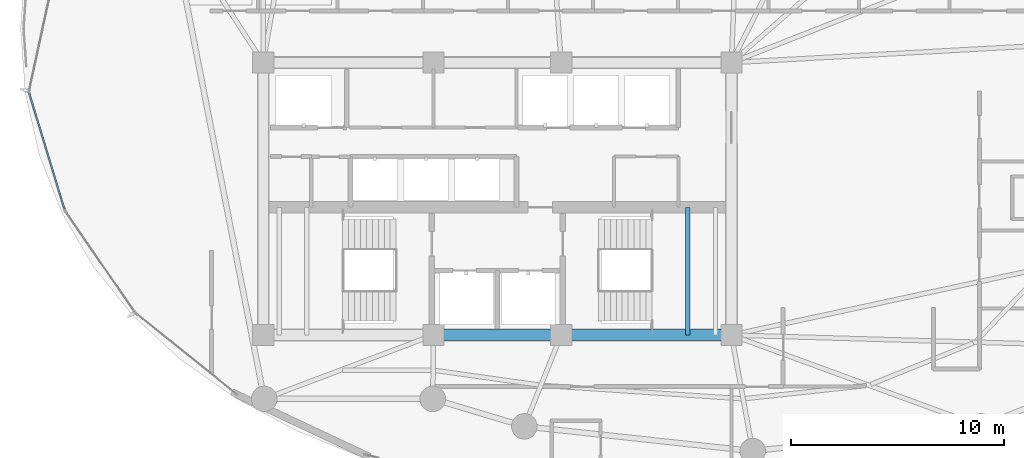
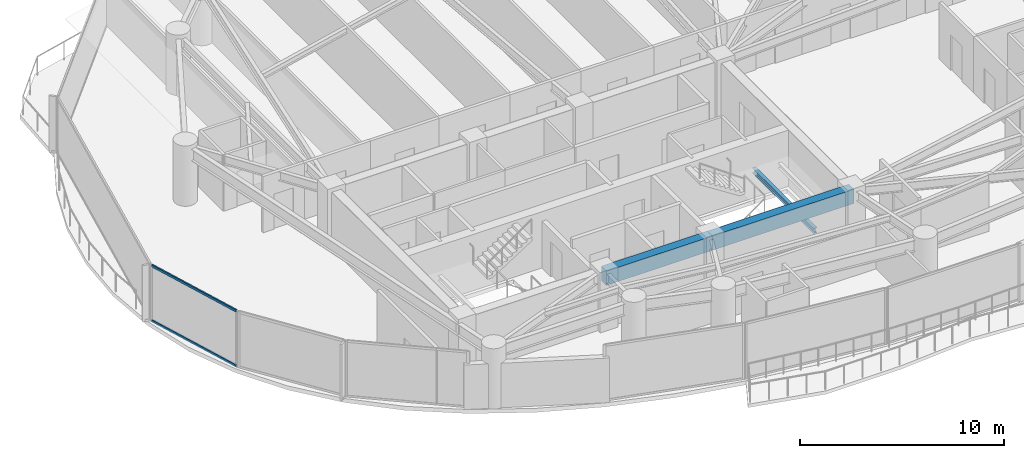
# One storey, part 7 of 34: 3 beams, 2 members, 1 element without a shape of its own.
"""IFC4 building model written with IfcOpenShell, lengths in metres."""

from ifc_helpers import new_model, si_unit, direction, frame, origin, origin_2d, place, context, subcontext, project, spatial, rectangle, hollow_rectangle, i_section, extrude, material, layer, layer_set, material_profile, profile_set, type_object, element, aggregate, save


model = new_model("IFC4")

# Units and contexts
model_context = context("Model", 3, precision=1e-05, world=origin(), true_north=direction((0.0, 1.0)))
body_context = subcontext(model_context, "Body", "Model", "MODEL_VIEW")
ifc_project = project(units=[si_unit("LENGTHUNIT", "METRE"), si_unit("AREAUNIT", "SQUARE_METRE"), si_unit("VOLUMEUNIT", "CUBIC_METRE"), si_unit("PLANEANGLEUNIT", "RADIAN"), si_unit("MASSUNIT", "GRAM", prefix="KILO")], contexts=[model_context])

# Site, building, storey
site_placement = place(None, origin())
site = spatial("IfcSite", under=ifc_project, at=site_placement, CompositionType="ELEMENT")
building_placement = place(site_placement, origin())
building = spatial("IfcBuilding", under=site, at=building_placement, Name="Kazevale Care Tower and Concert Hall", CompositionType="ELEMENT")
storey_placement = place(building_placement, frame((0.0, 0.0, 167.39990234375)))
storey = spatial("IfcBuildingStorey", under=building, at=storey_placement, Name="L44", CompositionType="ELEMENT", Elevation=167.39990234375)

# Curtain wall, members
ifc_material_1 = material(Name="Aluminium 6063-T6 and Low-E Glass", Category="aluminium")
ifc_layer = layer(ifc_material_1, 0.179931640625)
ifc_layer_set = layer_set([ifc_layer], Name="Aluminium 6063-T6 and Low-E Glass")
curtain_wall_type = type_object("IfcCurtainWallType", Name="Waist & Upper Residential Curtain Wall CW-4", PredefinedType="NOTDEFINED", material=ifc_layer_set)
curtain_wall_placement = place(storey_placement, origin())
curtain_wall = element("IfcCurtainWall", 1, at=curtain_wall_placement, inside=storey, type_object=curtain_wall_type, Name="cw:L44:f12", PredefinedType="NOTDEFINED")
ifc_material_2 = material(Name="Aluminium 6063-T6", Category="aluminium")
ifc_material_profile_1 = material_profile(ifc_material_2, hollow_rectangle(XDim=0.080078125, YDim=0.139892578125, WallThickness=0.00390625, at=origin_2d()), Name="ALU80x140x4")
ifc_profile_set_1 = profile_set([ifc_material_profile_1], Name="Aluminium 6063-T6")
member_type = type_object("IfcMemberType", Name="CW-4 Transom ALU80x140x4", PredefinedType="USERDEFINED", material=ifc_profile_set_1)
member_1_placement = place(storey_placement, frame((12.669677734375, 29.517578125, 0.0400390625), z_axis=(-0.290964759976, 0.956733770937, 0.0), x_axis=(-0.956733770937, -0.290964759976, 0.0)))
member_1 = element("IfcMember", 2, at=member_1_placement, type_object=member_type, Name="CW-4 transom 1.1", ObjectType="TRANSOM", PredefinedType="USERDEFINED", context=body_context, shape_type="SweptSolid", body=[
    extrude(hollow_rectangle(XDim=0.080078125, YDim=0.139892578125, WallThickness=0.00390625, at=origin_2d()), origin(), (0.0, 0.0, 1.0), 5.675537109375),
])
member_2_placement = place(storey_placement, frame((12.669677734375, 29.517578125, 3.320068359375), z_axis=(-0.290964759976, 0.956733770937, 0.0), x_axis=(-0.956733770937, -0.290964759976, 0.0)))
member_2 = element("IfcMember", 3, at=member_2_placement, type_object=member_type, Name="CW-4 transom 1.2", ObjectType="TRANSOM", PredefinedType="USERDEFINED", context=body_context, shape_type="SweptSolid", body=[
    extrude(hollow_rectangle(XDim=0.080078125, YDim=0.139892578125, WallThickness=0.00390625, at=origin_2d()), origin(), (0.0, 0.0, 1.0), 5.675537109375),
])
aggregate(curtain_wall, [member_1, member_2])

# Beams
ifc_material_3 = material(Name="Concrete C60", Category="concrete")
ifc_material_profile_2 = material_profile(ifc_material_3, rectangle(XDim=0.5, YDim=0.85009765625, at=origin_2d()), Name="RC-B500x850")
ifc_profile_set_2 = profile_set([ifc_material_profile_2], Name="Concrete C60")
beam_type_1 = type_object("IfcBeamType", Name="Core Coupling Beam RC500x850", PredefinedType="LINTEL", material=ifc_profile_set_2)
beam_1_placement = place(storey_placement, frame((30.0, 23.60009765625, 2.93505859375), z_axis=(1.0, 0.0, 0.0), x_axis=(0.0, 1.0, 0.0)))
element("IfcBeam", 4, at=beam_1_placement, inside=storey, type_object=beam_type_1, Name="beam:L44:coretie:2", PredefinedType="LINTEL", context=body_context, shape_type="SweptSolid", body=[
    extrude(rectangle(XDim=0.5, YDim=0.85009765625, at=origin_2d()), origin(), (0.0, 0.0, 1.0), 6.0),
])
beam_2_placement = place(storey_placement, frame((36.0, 23.60009765625, 2.93505859375), z_axis=(1.0, 0.0, 0.0), x_axis=(0.0, 1.0, 0.0)))
element("IfcBeam", 5, at=beam_2_placement, inside=storey, type_object=beam_type_1, Name="beam:L44:coretie:3", PredefinedType="LINTEL", context=body_context, shape_type="SweptSolid", body=[
    extrude(rectangle(XDim=0.5, YDim=0.85009765625, at=origin_2d()), origin(), (0.0, 0.0, 1.0), 8.0),
])
ifc_material_4 = material(Name="Steel ASTM A572 Gr 50", Category="steel")
ifc_material_profile_3 = material_profile(ifc_material_4, i_section(OverallWidth=0.202880859375, OverallDepth=0.302978515625, WebThickness=0.007568359375, FlangeThickness=0.01318359375, at=origin_2d()), Name="W310x60")
ifc_profile_set_3 = profile_set([ifc_material_profile_3], Name="Steel ASTM A572 Gr 50")
beam_type_2 = type_object("IfcBeamType", Name="Stair & Balcony Trimmer W310x60", PredefinedType="BEAM", material=ifc_profile_set_3)
beam_3_placement = place(storey_placement, frame((41.949951171875, 23.60009765625, 1.448486328125), z_axis=(0.0, 1.0, 0.0), x_axis=(-1.0, 0.0, 0.0)))
element("IfcBeam", 6, at=beam_3_placement, inside=storey, type_object=beam_type_2, Name="beam:L44:sttrim:ST2", PredefinedType="BEAM", context=body_context, shape_type="SweptSolid", body=[
    extrude(i_section(OverallWidth=0.202880859375, OverallDepth=0.302978515625, WebThickness=0.007568359375, FlangeThickness=0.01318359375, at=origin_2d()), origin(), (0.0, 0.0, 1.0), 6.0),
])

save(model, "model.ifc")
